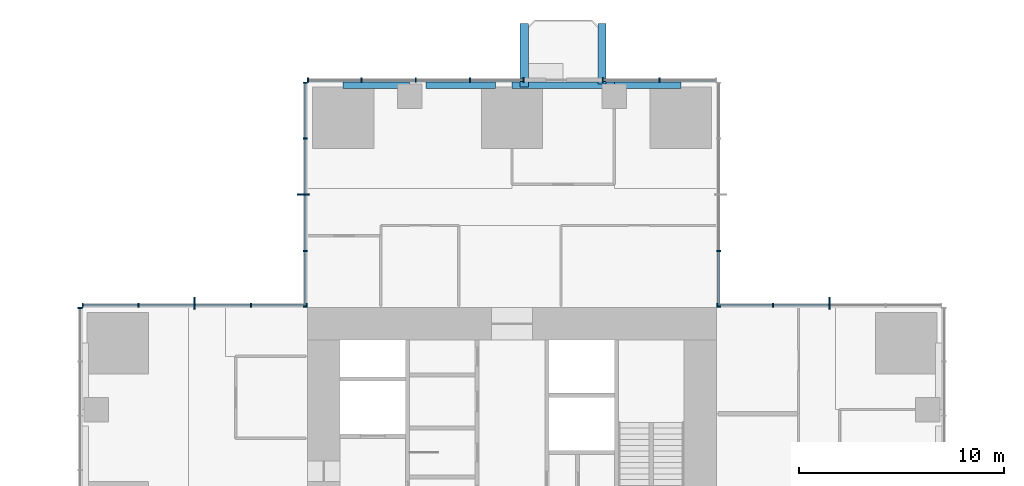
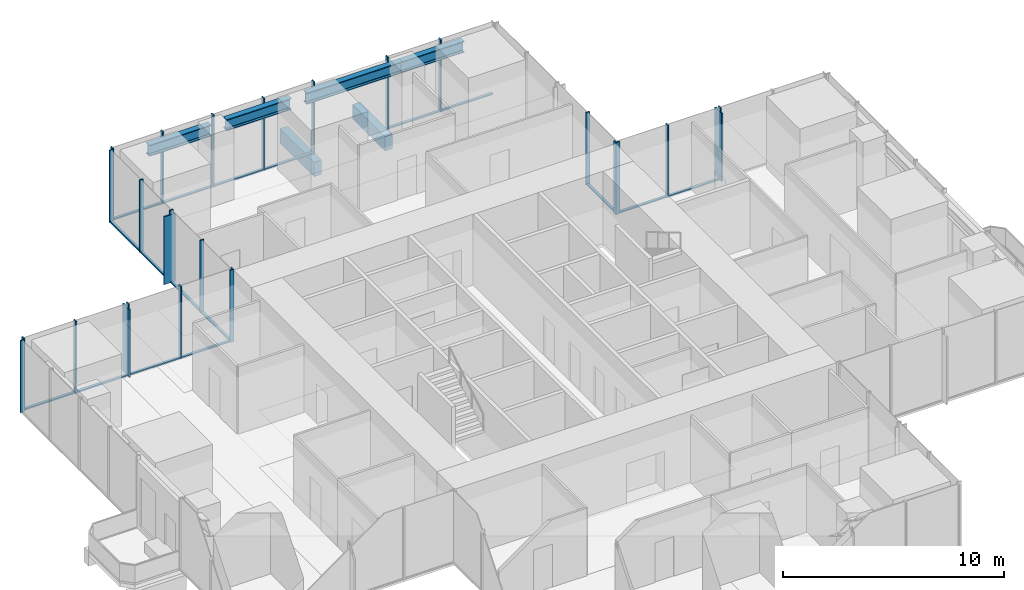
# One storey, part 5 of 13: 43 members, 6 beams, 7 elements without a shape of their own.
"""IFC4 building model written with IfcOpenShell, lengths in metres."""

from ifc_helpers import new_model, si_unit, direction, frame, origin, origin_2d, place, context, subcontext, project, spatial, rectangle, i_section, extrude, material, material_profile, profile_set, type_object, element, aggregate, save


model = new_model("IFC4")

# Units and contexts
model_context = context("Model", 3, precision=1e-05, world=origin(), true_north=direction((0.0, 1.0)))
body_context = subcontext(model_context, "Body", "Model", "MODEL_VIEW")
ifc_project = project(units=[si_unit("LENGTHUNIT", "METRE"), si_unit("AREAUNIT", "SQUARE_METRE"), si_unit("VOLUMEUNIT", "CUBIC_METRE"), si_unit("PLANEANGLEUNIT", "RADIAN"), si_unit("MASSUNIT", "GRAM", prefix="KILO")], contexts=[model_context])

# Site, building, storey
site_placement = place(None, origin())
site = spatial("IfcSite", under=ifc_project, at=site_placement, CompositionType="ELEMENT")
building_placement = place(site_placement, origin())
building = spatial("IfcBuilding", under=site, at=building_placement, Name="Svetlomir Tower", CompositionType="ELEMENT")
storey_placement = place(building_placement, frame((0.0, 0.0, 120.5)))
storey = spatial("IfcBuildingStorey", under=building, at=storey_placement, Name="L28", CompositionType="ELEMENT", Elevation=120.5)

# Beams
ifc_material_1 = material(Name="Concrete C60/75", Category="concrete")
ifc_material_profile_1 = material_profile(ifc_material_1, rectangle(XDim=0.39990234375, YDim=0.800048828125, at=origin_2d()), Name="RC 400x800")
ifc_profile_set_1 = profile_set([ifc_material_profile_1], Name="Concrete C60/75")
beam_type_1 = type_object("IfcBeamType", Name="BALCONY RIB RC 400x800", PredefinedType="BEAM", material=ifc_profile_set_1)
beam_1_placement = place(storey_placement, frame((21.60009765625, 41.75, -0.64990234375), z_axis=(0.0, 1.0, 0.0), x_axis=(-1.0, 0.0, 0.0)))
element("IfcBeam", 1, at=beam_1_placement, inside=storey, type_object=beam_type_1, Name="Balcony rib N 1 L28", PredefinedType="BEAM", context=body_context, shape_type="SweptSolid", body=[
    extrude(rectangle(XDim=0.39990234375, YDim=0.800048828125, at=origin_2d()), origin(), (0.0, 0.0, 1.0), 3.10009765625),
])
beam_2_placement = place(storey_placement, frame((25.39990234375, 41.89990234375, -0.64990234375), z_axis=(0.0, 1.0, 0.0), x_axis=(-1.0, 0.0, 0.0)))
element("IfcBeam", 2, at=beam_2_placement, inside=storey, type_object=beam_type_1, Name="Balcony rib N 2 L28", PredefinedType="BEAM", context=body_context, shape_type="SweptSolid", body=[
    extrude(rectangle(XDim=0.39990234375, YDim=0.800048828125, at=origin_2d()), origin(), (0.0, 0.0, 1.0), 2.9501953125),
])

# Curtain wall, member
ifc_material_2 = material(Name="Bronze anodised aluminium curtain wall", Category="aluminium")
curtain_wall_type = type_object("IfcCurtainWallType", Name="CURTAIN WALL CW1 TOWER OFFICE", PredefinedType="NOTDEFINED", material=ifc_material_2)
curtain_wall_1_placement = place(storey_placement, origin())
curtain_wall_1 = element("IfcCurtainWall", 3, at=curtain_wall_1_placement, inside=storey, type_object=curtain_wall_type, Name="Curtain wall CW1 L28", PredefinedType="NOTDEFINED")
ifc_material_3 = material(Name="Bronze anodised aluminium", Category="aluminium")
ifc_material_profile_2 = material_profile(ifc_material_3, rectangle(XDim=0.080078125, YDim=0.60009765625, at=origin_2d()), Name="FIN 80x600")
ifc_profile_set_2 = profile_set([ifc_material_profile_2], Name="Bronze anodised aluminium 6063-T6")
member_type_1 = type_object("IfcMemberType", Name="BRONZE FIN 80x600", PredefinedType="USERDEFINED", material=ifc_profile_set_2)
member_1_placement = place(storey_placement, frame((36.5, 31.199951171875, 0.0), z_axis=(0.0, 0.0, 1.0), x_axis=(1.0, 0.0, 0.0)))
member_1 = element("IfcMember", 4, at=member_1_placement, type_object=member_type_1, Name="Bronze fin L28", ObjectType="FIN", PredefinedType="USERDEFINED", context=body_context, shape_type="SweptSolid", body=[
    extrude(rectangle(XDim=0.080078125, YDim=0.60009765625, at=origin_2d()), origin(), (0.0, 0.0, 1.0), 3.75),
])

curtain_wall_2_placement = place(storey_placement, origin())
curtain_wall_2 = element("IfcCurtainWall", 5, at=curtain_wall_2_placement, inside=storey, type_object=curtain_wall_type, Name="Curtain wall CW1 L28", PredefinedType="NOTDEFINED")
member_2_placement = place(storey_placement, frame((10.800048828125, 36.5, 0.0), z_axis=(0.0, 0.0, 1.0), x_axis=(0.0, 1.0, 0.0)))
member_2 = element("IfcMember", 6, at=member_2_placement, type_object=member_type_1, Name="Bronze fin L28", ObjectType="FIN", PredefinedType="USERDEFINED", context=body_context, shape_type="SweptSolid", body=[
    extrude(rectangle(XDim=0.080078125, YDim=0.60009765625, at=origin_2d()), origin(), (0.0, 0.0, 1.0), 3.75),
])

curtain_wall_3_placement = place(storey_placement, origin())
curtain_wall_3 = element("IfcCurtainWall", 7, at=curtain_wall_3_placement, inside=storey, type_object=curtain_wall_type, Name="Curtain wall CW1 L28", PredefinedType="NOTDEFINED")
member_3_placement = place(storey_placement, frame((5.5, 31.199951171875, 0.0), z_axis=(0.0, 0.0, 1.0), x_axis=(1.0, 0.0, 0.0)))
member_3 = element("IfcMember", 8, at=member_3_placement, type_object=member_type_1, Name="Bronze fin L28", ObjectType="FIN", PredefinedType="USERDEFINED", context=body_context, shape_type="SweptSolid", body=[
    extrude(rectangle(XDim=0.080078125, YDim=0.60009765625, at=origin_2d()), origin(), (0.0, 0.0, 1.0), 3.75),
])

# Member
ifc_material_4 = material(Name="Bronze anodised aluminium", Category="aluminium")
ifc_material_profile_3 = material_profile(ifc_material_4, rectangle(XDim=0.06494140625, YDim=0.199951171875, at=origin_2d()), Name="AL 65x200")
ifc_profile_set_3 = profile_set([ifc_material_profile_3], Name="Bronze anodised aluminium 6063-T6")
member_type_2 = type_object("IfcMemberType", Name="CW1 MULLION 65x200", PredefinedType="MULLION", material=ifc_profile_set_3)
member_4_placement = place(storey_placement, frame((36.5, 31.10009765625, 0.0), z_axis=(0.0, 0.0, 1.0), x_axis=(-1.0, 0.0, 0.0)))
member_4 = element("IfcMember", 9, at=member_4_placement, type_object=member_type_2, Name="CW1 mullion 3", PredefinedType="MULLION", context=body_context, shape_type="SweptSolid", body=[
    extrude(rectangle(XDim=0.06494140625, YDim=0.199951171875, at=origin_2d()), origin(), (0.0, 0.0, 1.0), 4.0),
])

member_5_placement = place(storey_placement, frame((33.75, 31.10009765625, 0.0), z_axis=(0.0, 0.0, 1.0), x_axis=(-1.0, 0.0, 0.0)))
member_5 = element("IfcMember", 10, at=member_5_placement, type_object=member_type_2, Name="CW1 mullion 4", PredefinedType="MULLION", context=body_context, shape_type="SweptSolid", body=[
    extrude(rectangle(XDim=0.06494140625, YDim=0.199951171875, at=origin_2d()), origin(), (0.0, 0.0, 1.0), 4.0),
])

member_6_placement = place(storey_placement, frame((31.032470703125, 31.10009765625, 0.0), z_axis=(0.0, 0.0, 1.0), x_axis=(-1.0, 0.0, 0.0)))
member_6 = element("IfcMember", 11, at=member_6_placement, type_object=member_type_2, Name="CW1 mullion 5", PredefinedType="MULLION", context=body_context, shape_type="SweptSolid", body=[
    extrude(rectangle(XDim=0.06494140625, YDim=0.199951171875, at=origin_2d()), origin(), (0.0, 0.0, 1.0), 4.0),
])

# Curtain wall, members
curtain_wall_4_placement = place(storey_placement, origin())
curtain_wall_4 = element("IfcCurtainWall", 12, at=curtain_wall_4_placement, inside=storey, type_object=curtain_wall_type, Name="Curtain wall CW1 L28", PredefinedType="NOTDEFINED")
member_7_placement = place(storey_placement, frame((31.10009765625, 31.032470703125, 0.0), z_axis=(0.0, 0.0, 1.0), x_axis=(0.0, 1.0, 0.0)))
member_7 = element("IfcMember", 13, at=member_7_placement, type_object=member_type_2, Name="CW1 mullion 1", PredefinedType="MULLION", context=body_context, shape_type="SweptSolid", body=[
    extrude(rectangle(XDim=0.06494140625, YDim=0.199951171875, at=origin_2d()), origin(), (0.0, 0.0, 1.0), 4.0),
])
member_8_placement = place(storey_placement, frame((31.10009765625, 33.75, 0.0), z_axis=(0.0, 0.0, 1.0), x_axis=(0.0, 1.0, 0.0)))
member_8 = element("IfcMember", 14, at=member_8_placement, type_object=member_type_2, Name="CW1 mullion 2", PredefinedType="MULLION", context=body_context, shape_type="SweptSolid", body=[
    extrude(rectangle(XDim=0.06494140625, YDim=0.199951171875, at=origin_2d()), origin(), (0.0, 0.0, 1.0), 4.0),
])

curtain_wall_5_placement = place(storey_placement, origin())
curtain_wall_5 = element("IfcCurtainWall", 15, at=curtain_wall_5_placement, inside=storey, type_object=curtain_wall_type, Name="Curtain wall CW1 L28", PredefinedType="NOTDEFINED")
member_9_placement = place(storey_placement, frame((28.199951171875, 42.10009765625, 0.0), z_axis=(0.0, 0.0, 1.0), x_axis=(-1.0, 0.0, 0.0)))
member_9 = element("IfcMember", 16, at=member_9_placement, type_object=member_type_2, Name="CW1 mullion 2", PredefinedType="MULLION", context=body_context, shape_type="SweptSolid", body=[
    extrude(rectangle(XDim=0.06494140625, YDim=0.199951171875, at=origin_2d()), origin(), (0.0, 0.0, 1.0), 4.0),
])
member_10_placement = place(storey_placement, frame((25.4326171875, 42.10009765625, 0.0), z_axis=(0.0, 0.0, 1.0), x_axis=(-1.0, 0.0, 0.0)))
member_10 = element("IfcMember", 17, at=member_10_placement, type_object=member_type_2, Name="CW1 mullion 3", PredefinedType="MULLION", context=body_context, shape_type="SweptSolid", body=[
    extrude(rectangle(XDim=0.06494140625, YDim=0.199951171875, at=origin_2d()), origin(), (0.0, 0.0, 1.0), 4.0),
])

curtain_wall_6_placement = place(storey_placement, origin())
curtain_wall_6 = element("IfcCurtainWall", 18, at=curtain_wall_6_placement, inside=storey, type_object=curtain_wall_type, Name="Curtain wall CW1 L28", PredefinedType="NOTDEFINED")
member_11_placement = place(storey_placement, frame((21.5673828125, 42.10009765625, 0.0), z_axis=(0.0, 0.0, 1.0), x_axis=(-1.0, 0.0, 0.0)))
member_11 = element("IfcMember", 19, at=member_11_placement, type_object=member_type_2, Name="CW1 mullion 1", PredefinedType="MULLION", context=body_context, shape_type="SweptSolid", body=[
    extrude(rectangle(XDim=0.06494140625, YDim=0.199951171875, at=origin_2d()), origin(), (0.0, 0.0, 1.0), 4.0),
])
member_12_placement = place(storey_placement, frame((18.949951171875, 42.10009765625, 0.0), z_axis=(0.0, 0.0, 1.0), x_axis=(-1.0, 0.0, 0.0)))
member_12 = element("IfcMember", 20, at=member_12_placement, type_object=member_type_2, Name="CW1 mullion 2", PredefinedType="MULLION", context=body_context, shape_type="SweptSolid", body=[
    extrude(rectangle(XDim=0.06494140625, YDim=0.199951171875, at=origin_2d()), origin(), (0.0, 0.0, 1.0), 4.0),
])
member_13_placement = place(storey_placement, frame((16.300048828125, 42.10009765625, 0.0), z_axis=(0.0, 0.0, 1.0), x_axis=(-1.0, 0.0, 0.0)))
member_13 = element("IfcMember", 21, at=member_13_placement, type_object=member_type_2, Name="CW1 mullion 3", PredefinedType="MULLION", context=body_context, shape_type="SweptSolid", body=[
    extrude(rectangle(XDim=0.06494140625, YDim=0.199951171875, at=origin_2d()), origin(), (0.0, 0.0, 1.0), 4.0),
])
member_14_placement = place(storey_placement, frame((13.64990234375, 42.10009765625, 0.0), z_axis=(0.0, 0.0, 1.0), x_axis=(-1.0, 0.0, 0.0)))
member_14 = element("IfcMember", 22, at=member_14_placement, type_object=member_type_2, Name="CW1 mullion 4", PredefinedType="MULLION", context=body_context, shape_type="SweptSolid", body=[
    extrude(rectangle(XDim=0.06494140625, YDim=0.199951171875, at=origin_2d()), origin(), (0.0, 0.0, 1.0), 4.0),
])
member_15_placement = place(storey_placement, frame((11.032470703125, 42.10009765625, 0.0), z_axis=(0.0, 0.0, 1.0), x_axis=(-1.0, 0.0, 0.0)))
member_15 = element("IfcMember", 23, at=member_15_placement, type_object=member_type_2, Name="CW1 mullion 5", PredefinedType="MULLION", context=body_context, shape_type="SweptSolid", body=[
    extrude(rectangle(XDim=0.06494140625, YDim=0.199951171875, at=origin_2d()), origin(), (0.0, 0.0, 1.0), 4.0),
])

# Member
member_16_placement = place(storey_placement, frame((10.89990234375, 41.967529296875, 0.0), z_axis=(0.0, 0.0, 1.0), x_axis=(0.0, -1.0, 0.0)))
member_16 = element("IfcMember", 24, at=member_16_placement, type_object=member_type_2, Name="CW1 mullion 1", PredefinedType="MULLION", context=body_context, shape_type="SweptSolid", body=[
    extrude(rectangle(XDim=0.06494140625, YDim=0.199951171875, at=origin_2d()), origin(), (0.0, 0.0, 1.0), 4.0),
])

member_17_placement = place(storey_placement, frame((10.89990234375, 39.25, 0.0), z_axis=(0.0, 0.0, 1.0), x_axis=(0.0, -1.0, 0.0)))
member_17 = element("IfcMember", 25, at=member_17_placement, type_object=member_type_2, Name="CW1 mullion 2", PredefinedType="MULLION", context=body_context, shape_type="SweptSolid", body=[
    extrude(rectangle(XDim=0.06494140625, YDim=0.199951171875, at=origin_2d()), origin(), (0.0, 0.0, 1.0), 4.0),
])

member_18_placement = place(storey_placement, frame((10.89990234375, 36.5, 0.0), z_axis=(0.0, 0.0, 1.0), x_axis=(0.0, -1.0, 0.0)))
member_18 = element("IfcMember", 26, at=member_18_placement, type_object=member_type_2, Name="CW1 mullion 3", PredefinedType="MULLION", context=body_context, shape_type="SweptSolid", body=[
    extrude(rectangle(XDim=0.06494140625, YDim=0.199951171875, at=origin_2d()), origin(), (0.0, 0.0, 1.0), 4.0),
])

member_19_placement = place(storey_placement, frame((10.89990234375, 33.75, 0.0), z_axis=(0.0, 0.0, 1.0), x_axis=(0.0, -1.0, 0.0)))
member_19 = element("IfcMember", 27, at=member_19_placement, type_object=member_type_2, Name="CW1 mullion 4", PredefinedType="MULLION", context=body_context, shape_type="SweptSolid", body=[
    extrude(rectangle(XDim=0.06494140625, YDim=0.199951171875, at=origin_2d()), origin(), (0.0, 0.0, 1.0), 4.0),
])

member_20_placement = place(storey_placement, frame((10.89990234375, 31.032470703125, 0.0), z_axis=(0.0, 0.0, 1.0), x_axis=(0.0, -1.0, 0.0)))
member_20 = element("IfcMember", 28, at=member_20_placement, type_object=member_type_2, Name="CW1 mullion 5", PredefinedType="MULLION", context=body_context, shape_type="SweptSolid", body=[
    extrude(rectangle(XDim=0.06494140625, YDim=0.199951171875, at=origin_2d()), origin(), (0.0, 0.0, 1.0), 4.0),
])

member_21_placement = place(storey_placement, frame((10.967529296875, 31.10009765625, 0.0), z_axis=(0.0, 0.0, 1.0), x_axis=(-1.0, 0.0, 0.0)))
member_21 = element("IfcMember", 29, at=member_21_placement, type_object=member_type_2, Name="CW1 mullion 1", PredefinedType="MULLION", context=body_context, shape_type="SweptSolid", body=[
    extrude(rectangle(XDim=0.06494140625, YDim=0.199951171875, at=origin_2d()), origin(), (0.0, 0.0, 1.0), 4.0),
])

member_22_placement = place(storey_placement, frame((8.25, 31.10009765625, 0.0), z_axis=(0.0, 0.0, 1.0), x_axis=(-1.0, 0.0, 0.0)))
member_22 = element("IfcMember", 30, at=member_22_placement, type_object=member_type_2, Name="CW1 mullion 2", PredefinedType="MULLION", context=body_context, shape_type="SweptSolid", body=[
    extrude(rectangle(XDim=0.06494140625, YDim=0.199951171875, at=origin_2d()), origin(), (0.0, 0.0, 1.0), 4.0),
])

member_23_placement = place(storey_placement, frame((5.5, 31.10009765625, 0.0), z_axis=(0.0, 0.0, 1.0), x_axis=(-1.0, 0.0, 0.0)))
member_23 = element("IfcMember", 31, at=member_23_placement, type_object=member_type_2, Name="CW1 mullion 3", PredefinedType="MULLION", context=body_context, shape_type="SweptSolid", body=[
    extrude(rectangle(XDim=0.06494140625, YDim=0.199951171875, at=origin_2d()), origin(), (0.0, 0.0, 1.0), 4.0),
])

member_24_placement = place(storey_placement, frame((2.75, 31.10009765625, 0.0), z_axis=(0.0, 0.0, 1.0), x_axis=(-1.0, 0.0, 0.0)))
member_24 = element("IfcMember", 32, at=member_24_placement, type_object=member_type_2, Name="CW1 mullion 4", PredefinedType="MULLION", context=body_context, shape_type="SweptSolid", body=[
    extrude(rectangle(XDim=0.06494140625, YDim=0.199951171875, at=origin_2d()), origin(), (0.0, 0.0, 1.0), 4.0),
])

member_25_placement = place(storey_placement, frame((0.032470703125, 31.10009765625, 0.0), z_axis=(0.0, 0.0, 1.0), x_axis=(-1.0, 0.0, 0.0)))
member_25 = element("IfcMember", 33, at=member_25_placement, type_object=member_type_2, Name="CW1 mullion 5", PredefinedType="MULLION", context=body_context, shape_type="SweptSolid", body=[
    extrude(rectangle(XDim=0.06494140625, YDim=0.199951171875, at=origin_2d()), origin(), (0.0, 0.0, 1.0), 4.0),
])

# Curtain wall, member
curtain_wall_7_placement = place(storey_placement, origin())
curtain_wall_7 = element("IfcCurtainWall", 34, at=curtain_wall_7_placement, inside=storey, type_object=curtain_wall_type, Name="Curtain wall CW1 L28", PredefinedType="NOTDEFINED")
member_26_placement = place(storey_placement, frame((-0.10009765625, 30.967529296875, 0.0), z_axis=(0.0, 0.0, 1.0), x_axis=(0.0, -1.0, 0.0)))
member_26 = element("IfcMember", 35, at=member_26_placement, type_object=member_type_2, Name="CW1 mullion 1", PredefinedType="MULLION", context=body_context, shape_type="SweptSolid", body=[
    extrude(rectangle(XDim=0.06494140625, YDim=0.199951171875, at=origin_2d()), origin(), (0.0, 0.0, 1.0), 4.0),
])
aggregate(curtain_wall_7, [member_26])

# Member
ifc_material_5 = material(Name="Bronze anodised aluminium", Category="aluminium")
ifc_material_profile_4 = material_profile(ifc_material_5, rectangle(XDim=0.139892578125, YDim=0.06494140625, at=origin_2d()), Name="AL 140x65")
ifc_profile_set_4 = profile_set([ifc_material_profile_4], Name="Bronze anodised aluminium 6063-T6")
member_type_3 = type_object("IfcMemberType", Name="CW1 TRANSOM 65x140", PredefinedType="USERDEFINED", material=ifc_profile_set_4)
member_27_placement = place(storey_placement, frame((36.467529296875, 31.10009765625, 0.032470703125), z_axis=(-1.0, 0.0, 0.0), x_axis=(0.0, -1.0, 0.0)))
member_27 = element("IfcMember", 36, at=member_27_placement, type_object=member_type_3, Name="CW1 transom 3.1", ObjectType="TRANSOM", PredefinedType="USERDEFINED", context=body_context, shape_type="SweptSolid", body=[
    extrude(rectangle(XDim=0.139892578125, YDim=0.06494140625, at=origin_2d()), origin(), (0.0, 0.0, 1.0), 2.68505859375),
])

member_28_placement = place(storey_placement, frame((33.717529296875, 31.10009765625, 0.032470703125), z_axis=(-1.0, 0.0, 0.0), x_axis=(0.0, -1.0, 0.0)))
member_28 = element("IfcMember", 37, at=member_28_placement, type_object=member_type_3, Name="CW1 transom 4.1", ObjectType="TRANSOM", PredefinedType="USERDEFINED", context=body_context, shape_type="SweptSolid", body=[
    extrude(rectangle(XDim=0.139892578125, YDim=0.06494140625, at=origin_2d()), origin(), (0.0, 0.0, 1.0), 2.652587890625),
])

aggregate(curtain_wall_1, [member_4, member_5, member_6, member_27, member_28, member_1])

member_29_placement = place(storey_placement, frame((31.10009765625, 31.06494140625, 0.032470703125), z_axis=(0.0, 1.0, 0.0), x_axis=(-1.0, 0.0, 0.0)))
member_29 = element("IfcMember", 38, at=member_29_placement, type_object=member_type_3, Name="CW1 transom 1.1", ObjectType="TRANSOM", PredefinedType="USERDEFINED", context=body_context, shape_type="SweptSolid", body=[
    extrude(rectangle(XDim=0.139892578125, YDim=0.06494140625, at=origin_2d()), origin(), (0.0, 0.0, 1.0), 2.652587890625),
])

aggregate(curtain_wall_4, [member_7, member_8, member_29])

member_30_placement = place(storey_placement, frame((30.93505859375, 42.10009765625, 0.032470703125), z_axis=(-1.0, 0.0, 0.0), x_axis=(0.0, -1.0, 0.0)))
member_30 = element("IfcMember", 39, at=member_30_placement, type_object=member_type_3, Name="CW1 transom 1.1", ObjectType="TRANSOM", PredefinedType="USERDEFINED", context=body_context, shape_type="SweptSolid", body=[
    extrude(rectangle(XDim=0.139892578125, YDim=0.06494140625, at=origin_2d()), origin(), (0.0, 0.0, 1.0), 2.70263671875),
])

member_31_placement = place(storey_placement, frame((28.16748046875, 42.10009765625, 0.032470703125), z_axis=(-1.0, 0.0, 0.0), x_axis=(0.0, -1.0, 0.0)))
member_31 = element("IfcMember", 40, at=member_31_placement, type_object=member_type_3, Name="CW1 transom 2.1", ObjectType="TRANSOM", PredefinedType="USERDEFINED", context=body_context, shape_type="SweptSolid", body=[
    extrude(rectangle(XDim=0.139892578125, YDim=0.06494140625, at=origin_2d()), origin(), (0.0, 0.0, 1.0), 2.702392578125),
])

aggregate(curtain_wall_5, [member_9, member_10, member_30, member_31])

member_32_placement = place(storey_placement, frame((21.534912109375, 42.10009765625, 0.032470703125), z_axis=(-1.0, 0.0, 0.0), x_axis=(0.0, -1.0, 0.0)))
member_32 = element("IfcMember", 41, at=member_32_placement, type_object=member_type_3, Name="CW1 transom 1.1", ObjectType="TRANSOM", PredefinedType="USERDEFINED", context=body_context, shape_type="SweptSolid", body=[
    extrude(rectangle(XDim=0.139892578125, YDim=0.06494140625, at=origin_2d()), origin(), (0.0, 0.0, 1.0), 2.552490234375),
])

member_33_placement = place(storey_placement, frame((18.91748046875, 42.10009765625, 0.032470703125), z_axis=(-1.0, 0.0, 0.0), x_axis=(0.0, -1.0, 0.0)))
member_33 = element("IfcMember", 42, at=member_33_placement, type_object=member_type_3, Name="CW1 transom 2.1", ObjectType="TRANSOM", PredefinedType="USERDEFINED", context=body_context, shape_type="SweptSolid", body=[
    extrude(rectangle(XDim=0.139892578125, YDim=0.06494140625, at=origin_2d()), origin(), (0.0, 0.0, 1.0), 2.5849609375),
])

member_34_placement = place(storey_placement, frame((16.267578125, 42.10009765625, 0.032470703125), z_axis=(-1.0, 0.0, 0.0), x_axis=(0.0, -1.0, 0.0)))
member_34 = element("IfcMember", 43, at=member_34_placement, type_object=member_type_3, Name="CW1 transom 3.1", ObjectType="TRANSOM", PredefinedType="USERDEFINED", context=body_context, shape_type="SweptSolid", body=[
    extrude(rectangle(XDim=0.139892578125, YDim=0.06494140625, at=origin_2d()), origin(), (0.0, 0.0, 1.0), 2.5849609375),
])

member_35_placement = place(storey_placement, frame((13.617431640625, 42.10009765625, 0.032470703125), z_axis=(-1.0, 0.0, 0.0), x_axis=(0.0, -1.0, 0.0)))
member_35 = element("IfcMember", 44, at=member_35_placement, type_object=member_type_3, Name="CW1 transom 4.1", ObjectType="TRANSOM", PredefinedType="USERDEFINED", context=body_context, shape_type="SweptSolid", body=[
    extrude(rectangle(XDim=0.139892578125, YDim=0.06494140625, at=origin_2d()), origin(), (0.0, 0.0, 1.0), 2.552490234375),
])

aggregate(curtain_wall_6, [member_11, member_12, member_13, member_14, member_15, member_32, member_33, member_34, member_35])

member_36_placement = place(storey_placement, frame((10.89990234375, 41.93505859375, 0.032470703125), z_axis=(0.0, -1.0, 0.0), x_axis=(1.0, 0.0, 0.0)))
member_36 = element("IfcMember", 45, at=member_36_placement, type_object=member_type_3, Name="CW1 transom 1.1", ObjectType="TRANSOM", PredefinedType="USERDEFINED", context=body_context, shape_type="SweptSolid", body=[
    extrude(rectangle(XDim=0.139892578125, YDim=0.06494140625, at=origin_2d()), origin(), (0.0, 0.0, 1.0), 2.652587890625),
])

member_37_placement = place(storey_placement, frame((10.89990234375, 39.217529296875, 0.032470703125), z_axis=(0.0, -1.0, 0.0), x_axis=(1.0, 0.0, 0.0)))
member_37 = element("IfcMember", 46, at=member_37_placement, type_object=member_type_3, Name="CW1 transom 2.1", ObjectType="TRANSOM", PredefinedType="USERDEFINED", context=body_context, shape_type="SweptSolid", body=[
    extrude(rectangle(XDim=0.139892578125, YDim=0.06494140625, at=origin_2d()), origin(), (0.0, 0.0, 1.0), 2.68505859375),
])

member_38_placement = place(storey_placement, frame((10.89990234375, 36.467529296875, 0.032470703125), z_axis=(0.0, -1.0, 0.0), x_axis=(1.0, 0.0, 0.0)))
member_38 = element("IfcMember", 47, at=member_38_placement, type_object=member_type_3, Name="CW1 transom 3.1", ObjectType="TRANSOM", PredefinedType="USERDEFINED", context=body_context, shape_type="SweptSolid", body=[
    extrude(rectangle(XDim=0.139892578125, YDim=0.06494140625, at=origin_2d()), origin(), (0.0, 0.0, 1.0), 2.68505859375),
])

member_39_placement = place(storey_placement, frame((10.89990234375, 33.717529296875, 0.032470703125), z_axis=(0.0, -1.0, 0.0), x_axis=(1.0, 0.0, 0.0)))
member_39 = element("IfcMember", 48, at=member_39_placement, type_object=member_type_3, Name="CW1 transom 4.1", ObjectType="TRANSOM", PredefinedType="USERDEFINED", context=body_context, shape_type="SweptSolid", body=[
    extrude(rectangle(XDim=0.139892578125, YDim=0.06494140625, at=origin_2d()), origin(), (0.0, 0.0, 1.0), 2.652587890625),
])

aggregate(curtain_wall_2, [member_16, member_17, member_18, member_19, member_20, member_36, member_37, member_38, member_39, member_2])

member_40_placement = place(storey_placement, frame((10.93505859375, 31.10009765625, 0.032470703125), z_axis=(-1.0, 0.0, 0.0), x_axis=(0.0, -1.0, 0.0)))
member_40 = element("IfcMember", 49, at=member_40_placement, type_object=member_type_3, Name="CW1 transom 1.1", ObjectType="TRANSOM", PredefinedType="USERDEFINED", context=body_context, shape_type="SweptSolid", body=[
    extrude(rectangle(XDim=0.139892578125, YDim=0.06494140625, at=origin_2d()), origin(), (0.0, 0.0, 1.0), 2.652587890625),
])

member_41_placement = place(storey_placement, frame((8.217529296875, 31.10009765625, 0.032470703125), z_axis=(-1.0, 0.0, 0.0), x_axis=(0.0, -1.0, 0.0)))
member_41 = element("IfcMember", 50, at=member_41_placement, type_object=member_type_3, Name="CW1 transom 2.1", ObjectType="TRANSOM", PredefinedType="USERDEFINED", context=body_context, shape_type="SweptSolid", body=[
    extrude(rectangle(XDim=0.139892578125, YDim=0.06494140625, at=origin_2d()), origin(), (0.0, 0.0, 1.0), 2.68505859375),
])

member_42_placement = place(storey_placement, frame((5.467529296875, 31.10009765625, 0.032470703125), z_axis=(-1.0, 0.0, 0.0), x_axis=(0.0, -1.0, 0.0)))
member_42 = element("IfcMember", 51, at=member_42_placement, type_object=member_type_3, Name="CW1 transom 3.1", ObjectType="TRANSOM", PredefinedType="USERDEFINED", context=body_context, shape_type="SweptSolid", body=[
    extrude(rectangle(XDim=0.139892578125, YDim=0.06494140625, at=origin_2d()), origin(), (0.0, 0.0, 1.0), 2.68505859375),
])

member_43_placement = place(storey_placement, frame((2.717529296875, 31.10009765625, 0.032470703125), z_axis=(-1.0, 0.0, 0.0), x_axis=(0.0, -1.0, 0.0)))
member_43 = element("IfcMember", 52, at=member_43_placement, type_object=member_type_3, Name="CW1 transom 4.1", ObjectType="TRANSOM", PredefinedType="USERDEFINED", context=body_context, shape_type="SweptSolid", body=[
    extrude(rectangle(XDim=0.139892578125, YDim=0.06494140625, at=origin_2d()), origin(), (0.0, 0.0, 1.0), 2.652587890625),
])

aggregate(curtain_wall_3, [member_21, member_22, member_23, member_24, member_25, member_40, member_41, member_42, member_43, member_3])

# Beams
ifc_material_6 = material(Name="Steel S355", Category="steel")
ifc_material_profile_5 = material_profile(ifc_material_6, i_section(OverallWidth=0.304931640625, OverallDepth=0.6201171875, WebThickness=0.02099609375, FlangeThickness=0.0400390625, FilletRadius=0.027099609375, at=origin_2d()), Name="HEM 600")
ifc_profile_set_5 = profile_set([ifc_material_profile_5], Name="Steel S355")
beam_type_2 = type_object("IfcBeamType", Name="EDGE BEAM HEM 600", PredefinedType="SPANDREL", material=ifc_profile_set_5)
beam_3_placement = place(storey_placement, frame((12.75, 41.847412109375, 3.43994140625), z_axis=(1.0, 0.0, 0.0), x_axis=(0.0, 1.0, 0.0)))
element("IfcBeam", 53, at=beam_3_placement, inside=storey, type_object=beam_type_2, Name="Edge beam 11/42 to 16/42 under L29", PredefinedType="SPANDREL", context=body_context, shape_type="SweptSolid", body=[
    extrude(i_section(OverallWidth=0.304931640625, OverallDepth=0.6201171875, WebThickness=0.02099609375, FlangeThickness=0.0400390625, FilletRadius=0.027099609375, at=origin_2d()), origin(), (0.0, 0.0, 1.0), 3.25),
])
beam_4_placement = place(storey_placement, frame((16.800048828125, 41.847412109375, 3.43994140625), z_axis=(1.0, 0.0, 0.0), x_axis=(0.0, 1.0, 0.0)))
element("IfcBeam", 54, at=beam_4_placement, inside=storey, type_object=beam_type_2, Name="Edge beam 16/42 to 21/42 under L29", PredefinedType="SPANDREL", context=body_context, shape_type="SweptSolid", body=[
    extrude(i_section(OverallWidth=0.304931640625, OverallDepth=0.6201171875, WebThickness=0.02099609375, FlangeThickness=0.0400390625, FilletRadius=0.027099609375, at=origin_2d()), origin(), (0.0, 0.0, 1.0), 3.39990234375),
])
beam_5_placement = place(storey_placement, frame((21.0, 41.847412109375, 3.43994140625), z_axis=(1.0, 0.0, 0.0), x_axis=(0.0, 1.0, 0.0)))
element("IfcBeam", 55, at=beam_5_placement, inside=storey, type_object=beam_type_2, Name="Edge beam 21/42 to 26/42 under L29", PredefinedType="SPANDREL", context=body_context, shape_type="SweptSolid", body=[
    extrude(i_section(OverallWidth=0.304931640625, OverallDepth=0.6201171875, WebThickness=0.02099609375, FlangeThickness=0.0400390625, FilletRadius=0.027099609375, at=origin_2d()), origin(), (0.0, 0.0, 1.0), 5.0),
])
beam_6_placement = place(storey_placement, frame((26.0, 41.847412109375, 3.43994140625), z_axis=(1.0, 0.0, 0.0), x_axis=(0.0, 1.0, 0.0)))
element("IfcBeam", 56, at=beam_6_placement, inside=storey, type_object=beam_type_2, Name="Edge beam 26/42 to 31/42 under L29", PredefinedType="SPANDREL", context=body_context, shape_type="SweptSolid", body=[
    extrude(i_section(OverallWidth=0.304931640625, OverallDepth=0.6201171875, WebThickness=0.02099609375, FlangeThickness=0.0400390625, FilletRadius=0.027099609375, at=origin_2d()), origin(), (0.0, 0.0, 1.0), 3.25),
])

save(model, "model.ifc")
